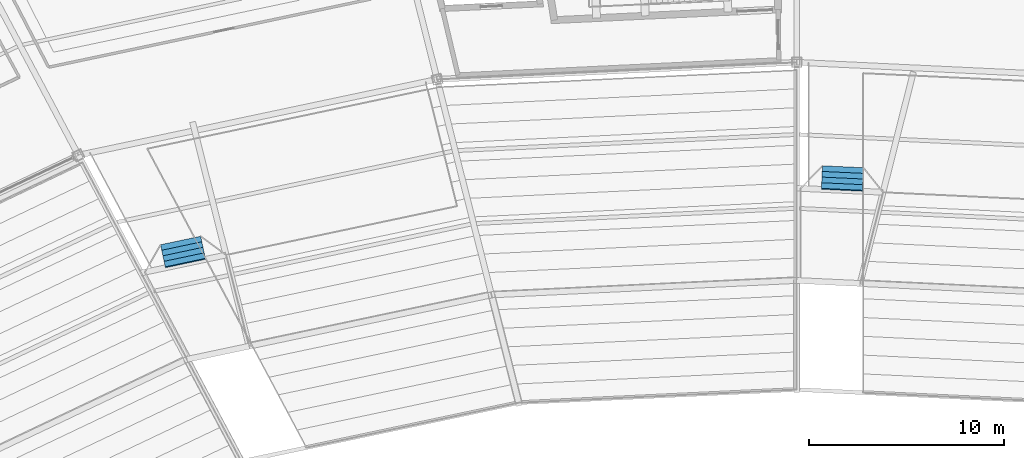
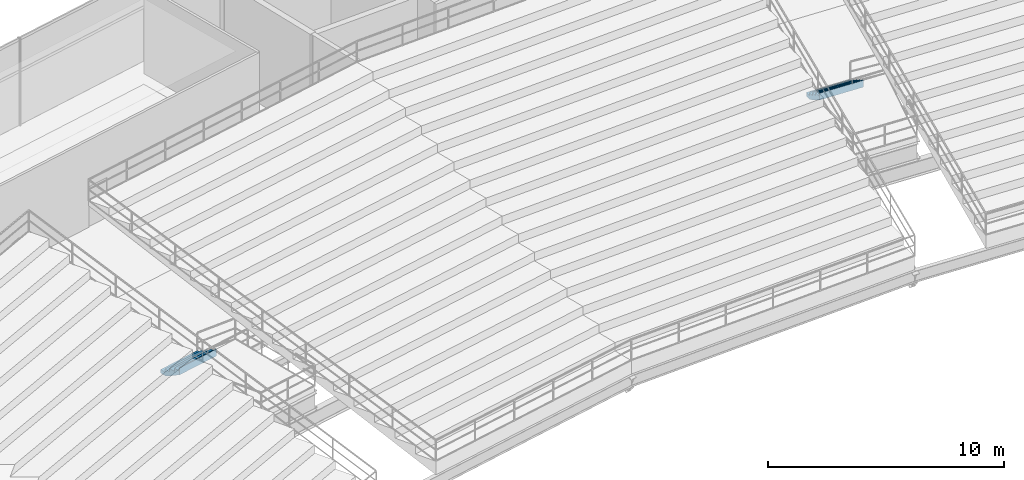
# One storey, part 161 of 186: 2 stair flights, 2 elements without a shape of their own.
"""IFC4 building model written with IfcOpenShell, lengths in metres."""

import ifcopenshell
import ifcopenshell.guid

model = None  # the IFC model being written
_history = None  # IfcOwnerHistory: only IFC2X3 demands one
_inside = {}  # id of a spatial element -> (the spatial element, [elements in it])
_under = {}  # id of a project, library or spatial element -> (it, [spatial elements below it])
_declared = {}  # id of a project -> (the project, [libraries it declares])
_typed = {}  # id of a type object -> (the type object, [elements of that type])
_made_of = {}  # id of a material, layer set ... -> (it, [elements and type objects made of it])


def new_model(schema):
    """Start an empty IFC model of exactly this schema.

    Asked for "IFC4X3", IfcOpenShell would pick the latest addendum, in which some entities
    have other attributes; the version numbers below select the first issue.
    IFC2X3 requires an IfcOwnerHistory on every rooted entity: one is made here for all.
    """
    global model, _history
    if schema == "IFC4X3":
        model = ifcopenshell.file(schema_version=(4, 3, 0, 0))
    else:
        model = ifcopenshell.file(schema=schema)
    _inside.clear()
    _under.clear()
    _declared.clear()
    _typed.clear()
    _made_of.clear()
    _history = None
    if model.schema == "IFC2X3":
        org = make("IfcOrganization", Name="unknown")
        user = make(
            "IfcPersonAndOrganization",
            ThePerson=make("IfcPerson", FamilyName="unknown"),
            TheOrganization=org,
        )
        app = make(
            "IfcApplication",
            ApplicationDeveloper=org,
            Version="unknown",
            ApplicationFullName="unknown",
            ApplicationIdentifier="unknown",
        )
        _history = make(
            "IfcOwnerHistory",
            OwningUser=user,
            OwningApplication=app,
            ChangeAction="ADDED",
            CreationDate=0,
        )
    return model


def make(cls, **values):
    """One entity of the class cls with the attributes given. An attribute that is None is left unset."""
    return model.create_entity(
        cls, **{name: value for name, value in values.items() if value is not None}
    )


def rooted(cls, **values):
    """An entity with a GlobalId (a new one), such as an element, a storey or a relation."""
    return make(cls, GlobalId=ifcopenshell.guid.new(), OwnerHistory=_history, **values)


def si_unit(unit_type, name, prefix=None):
    """IfcSIUnit, for example si_unit("LENGTHUNIT", "METRE", prefix="MILLI")."""
    return make("IfcSIUnit", UnitType=unit_type, Prefix=prefix, Name=name)


def assignment(units):
    """IfcUnitAssignment: the units of a project."""
    return None if units is None else make("IfcUnitAssignment", Units=units)


def point(xyz):
    """IfcCartesianPoint."""
    return None if xyz is None else make("IfcCartesianPoint", Coordinates=xyz)


def direction(xyz):
    """IfcDirection."""
    return None if xyz is None else make("IfcDirection", DirectionRatios=xyz)


def frame(location, z_axis=None, x_axis=None):
    """IfcAxis2Placement3D, a coordinate frame: its origin and axes. An axis left out is left unset."""
    return make(
        "IfcAxis2Placement3D",
        Location=point(location),
        Axis=direction(z_axis),
        RefDirection=direction(x_axis),
    )


def origin():
    """The frame at (0, 0, 0) with its axes left unset."""
    return frame((0.0, 0.0, 0.0))


def place(relative_to, where):
    """IfcLocalPlacement: puts the frame where relative to a parent placement (None: the world)."""
    return make(
        "IfcLocalPlacement", PlacementRelTo=relative_to, RelativePlacement=where
    )


def context(
    kind, dimensions, precision=None, world=None, true_north=None, identifier=None
):
    """IfcGeometricRepresentationContext, for example the 3D "Model" context."""
    return make(
        "IfcGeometricRepresentationContext",
        ContextIdentifier=identifier,
        ContextType=kind,
        CoordinateSpaceDimension=dimensions,
        Precision=precision,
        WorldCoordinateSystem=world,
        TrueNorth=true_north,
    )


def subcontext(parent, identifier, kind, view, scale=None):
    """IfcGeometricRepresentationSubContext, for example "Body" below "Model"."""
    return make(
        "IfcGeometricRepresentationSubContext",
        ContextIdentifier=identifier,
        ContextType=kind,
        ParentContext=parent,
        TargetScale=scale,
        TargetView=view,
    )


def project(units=None, contexts=None):
    """IfcProject with its units and contexts."""
    return rooted(
        "IfcProject",
        Name="project",
        RepresentationContexts=contexts,
        UnitsInContext=assignment(units),
    )


def spatial(cls, under=None, at=None, **own):
    """A site, building, storey or space (cls), placed at a placement, below another one or the project."""
    s = rooted(cls, ObjectPlacement=at, **own)
    if under is not None:
        _under.setdefault(under.id(), (under, []))[1].append(s)
    return s


def point_list(points):
    """IfcCartesianPointList2D or 3D."""
    cls = (
        "IfcCartesianPointList2D" if len(points[0]) == 2 else "IfcCartesianPointList3D"
    )
    return make(cls, CoordList=points)


def polygons(points, faces, closed=None, point_numbers=None):
    """IfcPolygonalFaceSet: a face is its outer loop, then its inner loops; points numbered from 1."""
    made = []
    for loops in faces:
        if len(loops) == 1:
            made.append(make("IfcIndexedPolygonalFace", CoordIndex=loops[0]))
        else:
            made.append(
                make(
                    "IfcIndexedPolygonalFaceWithVoids",
                    CoordIndex=loops[0],
                    InnerCoordIndices=loops[1:],
                )
            )
    return make(
        "IfcPolygonalFaceSet",
        Coordinates=point_list(points),
        Closed=closed,
        Faces=made,
        PnIndex=point_numbers,
    )


def shape(context_of_items, identifier, shape_type, items):
    """IfcShapeRepresentation: the items that make up one representation, for example the "Body"."""
    return make(
        "IfcShapeRepresentation",
        ContextOfItems=context_of_items,
        RepresentationIdentifier=identifier,
        RepresentationType=shape_type,
        Items=items,
    )


def material(Name=None, Category=None):
    """IfcMaterial."""
    return make("IfcMaterial", Name=Name, Category=Category)


def made_of(thing, what):
    """Note that an element or type object is made of a material, layer set ...; save() writes the relation."""
    if what is not None:
        _made_of.setdefault(what.id(), (what, []))[1].append(thing)
    return thing


def type_object(cls, material=None, **own):
    """A type object (cls), such as IfcWallType, which elements share."""
    return made_of(rooted(cls, **own), material)


def element(
    cls,
    number,
    at=None,
    inside=None,
    cuts=None,
    type_object=None,
    material=None,
    context=None,
    identifier="Body",
    shape_type=None,
    held_by="IfcProductDefinitionShape",
    body=None,
    shapes=None,
    **own,
):
    """One element of the class cls, such as IfcWall. Its Tag is "e" and its number.

    at: its placement. inside: the storey or other place that contains it. cuts: it is an
    opening in that element (IfcRelVoidsElement). A single representation is given by context,
    identifier, shape_type and body (its items); several are given by shapes. held_by: the class
    of the entity that holds the representations. save() writes the other relations.
    """
    e = rooted(cls, Tag="e%d" % number, ObjectPlacement=at, **own)
    if body is not None:
        shapes = [shape(context, identifier, shape_type, body)]
    if shapes is not None:
        e.Representation = make(held_by, Representations=shapes)
    if inside is not None:
        _inside.setdefault(inside.id(), (inside, []))[1].append(e)
    if cuts is not None:
        rooted(
            "IfcRelVoidsElement", RelatingBuildingElement=cuts, RelatedOpeningElement=e
        )
    if type_object is not None:
        _typed.setdefault(type_object.id(), (type_object, []))[1].append(e)
    return made_of(e, material)


def aggregate(whole, parts):
    """IfcRelAggregates: a whole, such as a stair, and the parts it consists of."""
    return rooted("IfcRelAggregates", RelatingObject=whole, RelatedObjects=parts)


def save(model, path):
    """Write the relations noted so far, then the file.

    IfcRelAggregates (storeys below a building ...), IfcRelContainedInSpatialStructure (elements
    in a storey), IfcRelDefinesByType, IfcRelAssociatesMaterial and IfcRelDeclares: one each for
    every whole, place, type object, material and project.
    """
    for whole, parts in _under.values():
        aggregate(whole, parts)
    for where, things in _inside.values():
        rooted(
            "IfcRelContainedInSpatialStructure",
            RelatedElements=things,
            RelatingStructure=where,
        )
    for kind, things in _typed.values():
        rooted("IfcRelDefinesByType", RelatedObjects=things, RelatingType=kind)
    for what, things in _made_of.values():
        rooted("IfcRelAssociatesMaterial", RelatedObjects=things, RelatingMaterial=what)
    for by, libraries in _declared.values():
        rooted("IfcRelDeclares", RelatingContext=by, RelatedDefinitions=libraries)
    model.write(path)


model = new_model("IFC4")

# Units and contexts
model_context = context("Model", 3, precision=1e-05, world=origin(), true_north=direction((0.0, 1.0)))
body_context = subcontext(model_context, "Body", "Model", "MODEL_VIEW")
ifc_project = project(units=[si_unit("LENGTHUNIT", "METRE"), si_unit("AREAUNIT", "SQUARE_METRE"), si_unit("VOLUMEUNIT", "CUBIC_METRE"), si_unit("PLANEANGLEUNIT", "RADIAN"), si_unit("MASSUNIT", "GRAM", prefix="KILO")], contexts=[model_context])

# Site, building, storey
site_placement = place(None, origin())
site = spatial("IfcSite", under=ifc_project, at=site_placement, CompositionType="ELEMENT")
building_placement = place(site_placement, origin())
building = spatial("IfcBuilding", under=site, at=building_placement, Name="Kazemori Nagisa Stadium", CompositionType="ELEMENT")
storey_placement = place(building_placement, frame((0.0, 0.0, 20.39990234375)))
storey = spatial("IfcBuildingStorey", under=building, at=storey_placement, Name="L04", CompositionType="ELEMENT", Elevation=20.39990234375)

# Stair, stair flight
ifc_material = material(Name="Concrete C36/45 (Fc36)", Category="concrete")
stair_type = type_object("IfcStairType", Name="Stair_VOM_VU", PredefinedType="STRAIGHT_RUN_STAIR", material=ifc_material)
stair_1_placement = place(storey_placement, origin())
stair_1 = element("IfcStair", 1, at=stair_1_placement, inside=storey, type_object=stair_type, Name="Vomitory stair upper VU03", PredefinedType="STRAIGHT_RUN_STAIR")
stair_flight_type = type_object("IfcStairFlightType", Name="Flight_VOM_VU", PredefinedType="STRAIGHT", material=ifc_material)
stair_flight_1_placement = place(storey_placement, frame((125.369384765625, 170.609375, 0.0), z_axis=(0.0, 0.0, 1.0), x_axis=(-0.047145158645, -0.99888804879, 0.0)))
stair_flight_1 = element("IfcStairFlight", 2, at=stair_flight_1_placement, type_object=stair_flight_type, Name="Vomitory stair upper VU03 flight", NumberOfRisers=5, NumberOfTreads=4, PredefinedType="STRAIGHT", RiserHeight=0.176, TreadLength=0.29, context=body_context, shape_type="Tessellation", body=[
    polygons([(0.0, -1.050048828125, 0.0), (0.0, -1.050048828125, 0.176025390625), (0.2900390625, -1.050048828125, 0.176025390625), (0.2900390625, -1.050048828125, 0.35205078125), (0.580078125, -1.050048828125, 0.35205078125), (0.580078125, -1.050048828125, 0.528076171875), (0.8701171875, -1.050048828125, 0.528076171875), (0.8701171875, -1.050048828125, 0.7041015625), (1.159912109375, -1.050048828125, 0.7041015625), (1.159912109375, -1.050048828125, 0.8798828125), (1.2099609375, -1.050048828125, 0.8798828125), (1.2099609375, -1.050048828125, 0.52392578125), (1.159912109375, -1.050048828125, 0.493408203125), (0.8701171875, -1.050048828125, 0.317626953125), (0.580078125, -1.050048828125, 0.1416015625), (0.2900390625, -1.050048828125, 0.0), (0.0, -0.083984375, 0.0), (0.0, -0.083984375, 0.176025390625), (0.2900390625, -0.083984375, 0.176025390625), (0.2900390625, -0.083984375, 0.35205078125), (0.580078125, -0.083984375, 0.35205078125), (0.580078125, -0.083984375, 0.528076171875), (0.8701171875, -0.083984375, 0.528076171875), (0.8701171875, -0.083984375, 0.7041015625), (1.159912109375, -0.083984375, 0.7041015625), (1.159912109375, -0.083984375, 0.8798828125), (1.2099609375, -0.083984375, 0.8798828125), (1.2099609375, -0.083984375, 0.52392578125), (1.159912109375, -0.083984375, 0.493408203125), (0.8701171875, -0.083984375, 0.317626953125), (0.580078125, -0.083984375, 0.1416015625), (0.2900390625, -0.083984375, 0.0), (0.0, -0.06298828125, 0.0), (0.0, -0.06298828125, 0.176025390625), (0.2900390625, -0.06298828125, 0.176025390625), (0.2900390625, -0.06298828125, 0.35205078125), (0.580078125, -0.06298828125, 0.35205078125), (0.580078125, -0.06298828125, 0.528076171875), (0.8701171875, -0.06298828125, 0.528076171875), (0.8701171875, -0.06298828125, 0.7041015625), (1.159912109375, -0.06298828125, 0.7041015625), (1.159912109375, -0.06298828125, 0.8798828125), (1.2099609375, -0.06298828125, 0.8798828125), (1.2099609375, -0.06298828125, 0.52392578125), (1.159912109375, -0.06298828125, 0.493408203125), (0.8701171875, -0.06298828125, 0.317626953125), (0.580078125, -0.06298828125, 0.1416015625), (0.2900390625, -0.06298828125, 0.0), (0.0, -0.0419921875, 0.0), (0.0, -0.0419921875, 0.176025390625), (0.2900390625, -0.0419921875, 0.176025390625), (0.2900390625, -0.0419921875, 0.35205078125), (0.580078125, -0.0419921875, 0.35205078125), (0.580078125, -0.0419921875, 0.528076171875), (0.8701171875, -0.0419921875, 0.528076171875), (0.8701171875, -0.0419921875, 0.7041015625), (1.159912109375, -0.0419921875, 0.7041015625), (1.159912109375, -0.0419921875, 0.8798828125), (1.2099609375, -0.0419921875, 0.8798828125), (1.2099609375, -0.0419921875, 0.52392578125), (1.159912109375, -0.0419921875, 0.493408203125), (0.8701171875, -0.0419921875, 0.317626953125), (0.580078125, -0.0419921875, 0.1416015625), (0.2900390625, -0.0419921875, 0.0), (0.0, -0.02099609375, 0.0), (0.0, -0.02099609375, 0.176025390625), (0.2900390625, -0.02099609375, 0.176025390625), (0.2900390625, -0.02099609375, 0.35205078125), (0.580078125, -0.02099609375, 0.35205078125), (0.580078125, -0.02099609375, 0.528076171875), (0.8701171875, -0.02099609375, 0.528076171875), (0.8701171875, -0.02099609375, 0.7041015625), (1.159912109375, -0.02099609375, 0.7041015625), (1.159912109375, -0.02099609375, 0.8798828125), (1.2099609375, -0.02099609375, 0.8798828125), (1.2099609375, -0.02099609375, 0.52392578125), (1.159912109375, -0.02099609375, 0.493408203125), (0.8701171875, -0.02099609375, 0.317626953125), (0.580078125, -0.02099609375, 0.1416015625), (0.2900390625, -0.02099609375, 0.0), (0.0, 0.0, 0.0), (0.0, 0.0, 0.176025390625), (0.2900390625, 0.0, 0.176025390625), (0.2900390625, 0.0, 0.35205078125), (0.580078125, 0.0, 0.35205078125), (0.580078125, 0.0, 0.528076171875), (0.8701171875, 0.0, 0.528076171875), (0.8701171875, 0.0, 0.7041015625), (1.159912109375, 0.0, 0.7041015625), (1.159912109375, 0.0, 0.8798828125), (1.2099609375, 0.0, 0.8798828125), (1.2099609375, 0.0, 0.52392578125), (1.159912109375, 0.0, 0.493408203125), (0.8701171875, 0.0, 0.317626953125), (0.580078125, 0.0, 0.1416015625), (0.2900390625, 0.0, 0.0), (0.0, 0.02099609375, 0.0), (0.0, 0.02099609375, 0.176025390625), (0.2900390625, 0.02099609375, 0.176025390625), (0.2900390625, 0.02099609375, 0.35205078125), (0.580078125, 0.02099609375, 0.35205078125), (0.580078125, 0.02099609375, 0.528076171875), (0.8701171875, 0.02099609375, 0.528076171875), (0.8701171875, 0.02099609375, 0.7041015625), (1.159912109375, 0.02099609375, 0.7041015625), (1.159912109375, 0.02099609375, 0.8798828125), (1.2099609375, 0.02099609375, 0.8798828125), (1.2099609375, 0.02099609375, 0.52392578125), (1.159912109375, 0.02099609375, 0.493408203125), (0.8701171875, 0.02099609375, 0.317626953125), (0.580078125, 0.02099609375, 0.1416015625), (0.2900390625, 0.02099609375, 0.0), (0.0, 0.0419921875, 0.0), (0.0, 0.0419921875, 0.176025390625), (0.2900390625, 0.0419921875, 0.176025390625), (0.2900390625, 0.0419921875, 0.35205078125), (0.580078125, 0.0419921875, 0.35205078125), (0.580078125, 0.0419921875, 0.528076171875), (0.8701171875, 0.0419921875, 0.528076171875), (0.8701171875, 0.0419921875, 0.7041015625), (1.159912109375, 0.0419921875, 0.7041015625), (1.159912109375, 0.0419921875, 0.8798828125), (1.2099609375, 0.0419921875, 0.8798828125), (1.2099609375, 0.0419921875, 0.52392578125), (1.159912109375, 0.0419921875, 0.493408203125), (0.8701171875, 0.0419921875, 0.317626953125), (0.580078125, 0.0419921875, 0.1416015625), (0.2900390625, 0.0419921875, 0.0), (0.0, 0.06298828125, 0.0), (0.0, 0.06298828125, 0.176025390625), (0.2900390625, 0.06298828125, 0.176025390625), (0.2900390625, 0.06298828125, 0.35205078125), (0.580078125, 0.06298828125, 0.35205078125), (0.580078125, 0.06298828125, 0.528076171875), (0.8701171875, 0.06298828125, 0.528076171875), (0.8701171875, 0.06298828125, 0.7041015625), (1.159912109375, 0.06298828125, 0.7041015625), (1.159912109375, 0.06298828125, 0.8798828125), (1.2099609375, 0.06298828125, 0.8798828125), (1.2099609375, 0.06298828125, 0.52392578125), (1.159912109375, 0.06298828125, 0.493408203125), (0.8701171875, 0.06298828125, 0.317626953125), (0.580078125, 0.06298828125, 0.1416015625), (0.2900390625, 0.06298828125, 0.0), (0.0, 0.083984375, 0.0), (0.0, 0.083984375, 0.176025390625), (0.2900390625, 0.083984375, 0.176025390625), (0.2900390625, 0.083984375, 0.35205078125), (0.580078125, 0.083984375, 0.35205078125), (0.580078125, 0.083984375, 0.528076171875), (0.8701171875, 0.083984375, 0.528076171875), (0.8701171875, 0.083984375, 0.7041015625), (1.159912109375, 0.083984375, 0.7041015625), (1.159912109375, 0.083984375, 0.8798828125), (1.2099609375, 0.083984375, 0.8798828125), (1.2099609375, 0.083984375, 0.52392578125), (1.159912109375, 0.083984375, 0.493408203125), (0.8701171875, 0.083984375, 0.317626953125), (0.580078125, 0.083984375, 0.1416015625), (0.2900390625, 0.083984375, 0.0), (0.0, 1.050048828125, 0.0), (0.0, 1.050048828125, 0.176025390625), (0.2900390625, 1.050048828125, 0.176025390625), (0.2900390625, 1.050048828125, 0.35205078125), (0.580078125, 1.050048828125, 0.35205078125), (0.580078125, 1.050048828125, 0.528076171875), (0.8701171875, 1.050048828125, 0.528076171875), (0.8701171875, 1.050048828125, 0.7041015625), (1.159912109375, 1.050048828125, 0.7041015625), (1.159912109375, 1.050048828125, 0.8798828125), (1.2099609375, 1.050048828125, 0.8798828125), (1.2099609375, 1.050048828125, 0.52392578125), (1.159912109375, 1.050048828125, 0.493408203125), (0.8701171875, 1.050048828125, 0.317626953125), (0.580078125, 1.050048828125, 0.1416015625), (0.2900390625, 1.050048828125, 0.0)], [[[1, 2, 18]], [[1, 18, 17]], [[2, 3, 19]], [[2, 19, 18]], [[3, 4, 20]], [[3, 20, 19]], [[4, 5, 21]], [[4, 21, 20]], [[5, 6, 22]], [[5, 22, 21]], [[6, 7, 23]], [[6, 23, 22]], [[7, 8, 24]], [[7, 24, 23]], [[8, 9, 25]], [[8, 25, 24]], [[9, 10, 26]], [[9, 26, 25]], [[10, 11, 27]], [[10, 27, 26]], [[11, 12, 28]], [[11, 28, 27]], [[12, 13, 29]], [[12, 29, 28]], [[13, 14, 30]], [[13, 30, 29]], [[14, 15, 31]], [[14, 31, 30]], [[15, 16, 32]], [[15, 32, 31]], [[16, 1, 17]], [[16, 17, 32]], [[17, 18, 34]], [[17, 34, 33]], [[18, 19, 35]], [[18, 35, 34]], [[19, 20, 36]], [[19, 36, 35]], [[20, 21, 37]], [[20, 37, 36]], [[21, 22, 38]], [[21, 38, 37]], [[22, 23, 39]], [[22, 39, 38]], [[23, 24, 40]], [[23, 40, 39]], [[24, 25, 41]], [[24, 41, 40]], [[25, 26, 42]], [[25, 42, 41]], [[26, 27, 43]], [[26, 43, 42]], [[27, 28, 44]], [[27, 44, 43]], [[28, 29, 45]], [[28, 45, 44]], [[29, 30, 46]], [[29, 46, 45]], [[30, 31, 47]], [[30, 47, 46]], [[31, 32, 48]], [[31, 48, 47]], [[32, 17, 33]], [[32, 33, 48]], [[33, 34, 50]], [[33, 50, 49]], [[34, 35, 51]], [[34, 51, 50]], [[35, 36, 52]], [[35, 52, 51]], [[36, 37, 53]], [[36, 53, 52]], [[37, 38, 54]], [[37, 54, 53]], [[38, 39, 55]], [[38, 55, 54]], [[39, 40, 56]], [[39, 56, 55]], [[40, 41, 57]], [[40, 57, 56]], [[41, 42, 58]], [[41, 58, 57]], [[42, 43, 59]], [[42, 59, 58]], [[43, 44, 60]], [[43, 60, 59]], [[44, 45, 61]], [[44, 61, 60]], [[45, 46, 62]], [[45, 62, 61]], [[46, 47, 63]], [[46, 63, 62]], [[47, 48, 64]], [[47, 64, 63]], [[48, 33, 49]], [[48, 49, 64]], [[49, 50, 66]], [[49, 66, 65]], [[50, 51, 67]], [[50, 67, 66]], [[51, 52, 68]], [[51, 68, 67]], [[52, 53, 69]], [[52, 69, 68]], [[53, 54, 70]], [[53, 70, 69]], [[54, 55, 71]], [[54, 71, 70]], [[55, 56, 72]], [[55, 72, 71]], [[56, 57, 73]], [[56, 73, 72]], [[57, 58, 74]], [[57, 74, 73]], [[58, 59, 75]], [[58, 75, 74]], [[59, 60, 76]], [[59, 76, 75]], [[60, 61, 77]], [[60, 77, 76]], [[61, 62, 78]], [[61, 78, 77]], [[62, 63, 79]], [[62, 79, 78]], [[63, 64, 80]], [[63, 80, 79]], [[64, 49, 65]], [[64, 65, 80]], [[65, 66, 82]], [[65, 82, 81]], [[66, 67, 83]], [[66, 83, 82]], [[67, 68, 84]], [[67, 84, 83]], [[68, 69, 85]], [[68, 85, 84]], [[69, 70, 86]], [[69, 86, 85]], [[70, 71, 87]], [[70, 87, 86]], [[71, 72, 88]], [[71, 88, 87]], [[72, 73, 89]], [[72, 89, 88]], [[73, 74, 90]], [[73, 90, 89]], [[74, 75, 91]], [[74, 91, 90]], [[75, 76, 92]], [[75, 92, 91]], [[76, 77, 93]], [[76, 93, 92]], [[77, 78, 94]], [[77, 94, 93]], [[78, 79, 95]], [[78, 95, 94]], [[79, 80, 96]], [[79, 96, 95]], [[80, 65, 81]], [[80, 81, 96]], [[81, 82, 98]], [[81, 98, 97]], [[82, 83, 99]], [[82, 99, 98]], [[83, 84, 100]], [[83, 100, 99]], [[84, 85, 101]], [[84, 101, 100]], [[85, 86, 102]], [[85, 102, 101]], [[86, 87, 103]], [[86, 103, 102]], [[87, 88, 104]], [[87, 104, 103]], [[88, 89, 105]], [[88, 105, 104]], [[89, 90, 106]], [[89, 106, 105]], [[90, 91, 107]], [[90, 107, 106]], [[91, 92, 108]], [[91, 108, 107]], [[92, 93, 109]], [[92, 109, 108]], [[93, 94, 110]], [[93, 110, 109]], [[94, 95, 111]], [[94, 111, 110]], [[95, 96, 112]], [[95, 112, 111]], [[96, 81, 97]], [[96, 97, 112]], [[97, 98, 114]], [[97, 114, 113]], [[98, 99, 115]], [[98, 115, 114]], [[99, 100, 116]], [[99, 116, 115]], [[100, 101, 117]], [[100, 117, 116]], [[101, 102, 118]], [[101, 118, 117]], [[102, 103, 119]], [[102, 119, 118]], [[103, 104, 120]], [[103, 120, 119]], [[104, 105, 121]], [[104, 121, 120]], [[105, 106, 122]], [[105, 122, 121]], [[106, 107, 123]], [[106, 123, 122]], [[107, 108, 124]], [[107, 124, 123]], [[108, 109, 125]], [[108, 125, 124]], [[109, 110, 126]], [[109, 126, 125]], [[110, 111, 127]], [[110, 127, 126]], [[111, 112, 128]], [[111, 128, 127]], [[112, 97, 113]], [[112, 113, 128]], [[113, 114, 130]], [[113, 130, 129]], [[114, 115, 131]], [[114, 131, 130]], [[115, 116, 132]], [[115, 132, 131]], [[116, 117, 133]], [[116, 133, 132]], [[117, 118, 134]], [[117, 134, 133]], [[118, 119, 135]], [[118, 135, 134]], [[119, 120, 136]], [[119, 136, 135]], [[120, 121, 137]], [[120, 137, 136]], [[121, 122, 138]], [[121, 138, 137]], [[122, 123, 139]], [[122, 139, 138]], [[123, 124, 140]], [[123, 140, 139]], [[124, 125, 141]], [[124, 141, 140]], [[125, 126, 142]], [[125, 142, 141]], [[126, 127, 143]], [[126, 143, 142]], [[127, 128, 144]], [[127, 144, 143]], [[128, 113, 129]], [[128, 129, 144]], [[129, 130, 146]], [[129, 146, 145]], [[130, 131, 147]], [[130, 147, 146]], [[131, 132, 148]], [[131, 148, 147]], [[132, 133, 149]], [[132, 149, 148]], [[133, 134, 150]], [[133, 150, 149]], [[134, 135, 151]], [[134, 151, 150]], [[135, 136, 152]], [[135, 152, 151]], [[136, 137, 153]], [[136, 153, 152]], [[137, 138, 154]], [[137, 154, 153]], [[138, 139, 155]], [[138, 155, 154]], [[139, 140, 156]], [[139, 156, 155]], [[140, 141, 157]], [[140, 157, 156]], [[141, 142, 158]], [[141, 158, 157]], [[142, 143, 159]], [[142, 159, 158]], [[143, 144, 160]], [[143, 160, 159]], [[144, 129, 145]], [[144, 145, 160]], [[145, 146, 162]], [[145, 162, 161]], [[146, 147, 163]], [[146, 163, 162]], [[147, 148, 164]], [[147, 164, 163]], [[148, 149, 165]], [[148, 165, 164]], [[149, 150, 166]], [[149, 166, 165]], [[150, 151, 167]], [[150, 167, 166]], [[151, 152, 168]], [[151, 168, 167]], [[152, 153, 169]], [[152, 169, 168]], [[153, 154, 170]], [[153, 170, 169]], [[154, 155, 171]], [[154, 171, 170]], [[155, 156, 172]], [[155, 172, 171]], [[156, 157, 173]], [[156, 173, 172]], [[157, 158, 174]], [[157, 174, 173]], [[158, 159, 175]], [[158, 175, 174]], [[159, 160, 176]], [[159, 176, 175]], [[160, 145, 161]], [[160, 161, 176]], [[3, 2, 1]], [[161, 162, 163]], [[16, 3, 1]], [[161, 163, 176]], [[15, 3, 16]], [[176, 163, 175]], [[5, 3, 15]], [[175, 163, 165]], [[5, 4, 3]], [[163, 164, 165]], [[14, 5, 15]], [[175, 165, 174]], [[7, 5, 14]], [[174, 165, 167]], [[7, 6, 5]], [[165, 166, 167]], [[13, 7, 14]], [[174, 167, 173]], [[9, 7, 13]], [[173, 167, 169]], [[9, 8, 7]], [[167, 168, 169]], [[12, 9, 13]], [[173, 169, 172]], [[11, 9, 12]], [[172, 169, 171]], [[11, 10, 9]], [[169, 170, 171]]], closed=True),
])
aggregate(stair_1, [stair_flight_1])

stair_2_placement = place(storey_placement, origin())
stair_2 = element("IfcStair", 3, at=stair_2_placement, inside=storey, type_object=stair_type, Name="Vomitory stair upper VU04", PredefinedType="STRAIGHT_RUN_STAIR")
stair_flight_2_placement = place(storey_placement, frame((91.42333984375, 166.82958984375, 0.0), z_axis=(0.0, 0.0, 1.0), x_axis=(0.207113562262, -0.978316907922, 0.0)))
stair_flight_2 = element("IfcStairFlight", 4, at=stair_flight_2_placement, type_object=stair_flight_type, Name="Vomitory stair upper VU04 flight", NumberOfRisers=5, NumberOfTreads=4, PredefinedType="STRAIGHT", RiserHeight=0.176, TreadLength=0.29, context=body_context, shape_type="Tessellation", body=[
    polygons([(0.0, -1.050048828125, 0.0), (0.0, -1.050048828125, 0.176025390625), (0.2900390625, -1.050048828125, 0.176025390625), (0.2900390625, -1.050048828125, 0.35205078125), (0.580078125, -1.050048828125, 0.35205078125), (0.580078125, -1.050048828125, 0.528076171875), (0.8701171875, -1.050048828125, 0.528076171875), (0.8701171875, -1.050048828125, 0.7041015625), (1.159912109375, -1.050048828125, 0.7041015625), (1.159912109375, -1.050048828125, 0.8798828125), (1.2099609375, -1.050048828125, 0.8798828125), (1.2099609375, -1.050048828125, 0.52392578125), (1.159912109375, -1.050048828125, 0.493408203125), (0.8701171875, -1.050048828125, 0.317626953125), (0.580078125, -1.050048828125, 0.1416015625), (0.2900390625, -1.050048828125, 0.0), (0.0, -0.083984375, 0.0), (0.0, -0.083984375, 0.176025390625), (0.2900390625, -0.083984375, 0.176025390625), (0.2900390625, -0.083984375, 0.35205078125), (0.580078125, -0.083984375, 0.35205078125), (0.580078125, -0.083984375, 0.528076171875), (0.8701171875, -0.083984375, 0.528076171875), (0.8701171875, -0.083984375, 0.7041015625), (1.159912109375, -0.083984375, 0.7041015625), (1.159912109375, -0.083984375, 0.8798828125), (1.2099609375, -0.083984375, 0.8798828125), (1.2099609375, -0.083984375, 0.52392578125), (1.159912109375, -0.083984375, 0.493408203125), (0.8701171875, -0.083984375, 0.317626953125), (0.580078125, -0.083984375, 0.1416015625), (0.2900390625, -0.083984375, 0.0), (0.0, -0.06298828125, 0.0), (0.0, -0.06298828125, 0.176025390625), (0.2900390625, -0.06298828125, 0.176025390625), (0.2900390625, -0.06298828125, 0.35205078125), (0.580078125, -0.06298828125, 0.35205078125), (0.580078125, -0.06298828125, 0.528076171875), (0.8701171875, -0.06298828125, 0.528076171875), (0.8701171875, -0.06298828125, 0.7041015625), (1.159912109375, -0.06298828125, 0.7041015625), (1.159912109375, -0.06298828125, 0.8798828125), (1.2099609375, -0.06298828125, 0.8798828125), (1.2099609375, -0.06298828125, 0.52392578125), (1.159912109375, -0.06298828125, 0.493408203125), (0.8701171875, -0.06298828125, 0.317626953125), (0.580078125, -0.06298828125, 0.1416015625), (0.2900390625, -0.06298828125, 0.0), (0.0, -0.0419921875, 0.0), (0.0, -0.0419921875, 0.176025390625), (0.2900390625, -0.0419921875, 0.176025390625), (0.2900390625, -0.0419921875, 0.35205078125), (0.580078125, -0.0419921875, 0.35205078125), (0.580078125, -0.0419921875, 0.528076171875), (0.8701171875, -0.0419921875, 0.528076171875), (0.8701171875, -0.0419921875, 0.7041015625), (1.159912109375, -0.0419921875, 0.7041015625), (1.159912109375, -0.0419921875, 0.8798828125), (1.2099609375, -0.0419921875, 0.8798828125), (1.2099609375, -0.0419921875, 0.52392578125), (1.159912109375, -0.0419921875, 0.493408203125), (0.8701171875, -0.0419921875, 0.317626953125), (0.580078125, -0.0419921875, 0.1416015625), (0.2900390625, -0.0419921875, 0.0), (0.0, -0.02099609375, 0.0), (0.0, -0.02099609375, 0.176025390625), (0.2900390625, -0.02099609375, 0.176025390625), (0.2900390625, -0.02099609375, 0.35205078125), (0.580078125, -0.02099609375, 0.35205078125), (0.580078125, -0.02099609375, 0.528076171875), (0.8701171875, -0.02099609375, 0.528076171875), (0.8701171875, -0.02099609375, 0.7041015625), (1.159912109375, -0.02099609375, 0.7041015625), (1.159912109375, -0.02099609375, 0.8798828125), (1.2099609375, -0.02099609375, 0.8798828125), (1.2099609375, -0.02099609375, 0.52392578125), (1.159912109375, -0.02099609375, 0.493408203125), (0.8701171875, -0.02099609375, 0.317626953125), (0.580078125, -0.02099609375, 0.1416015625), (0.2900390625, -0.02099609375, 0.0), (0.0, 0.0, 0.0), (0.0, 0.0, 0.176025390625), (0.2900390625, 0.0, 0.176025390625), (0.2900390625, 0.0, 0.35205078125), (0.580078125, 0.0, 0.35205078125), (0.580078125, 0.0, 0.528076171875), (0.8701171875, 0.0, 0.528076171875), (0.8701171875, 0.0, 0.7041015625), (1.159912109375, 0.0, 0.7041015625), (1.159912109375, 0.0, 0.8798828125), (1.2099609375, 0.0, 0.8798828125), (1.2099609375, 0.0, 0.52392578125), (1.159912109375, 0.0, 0.493408203125), (0.8701171875, 0.0, 0.317626953125), (0.580078125, 0.0, 0.1416015625), (0.2900390625, 0.0, 0.0), (0.0, 0.02099609375, 0.0), (0.0, 0.02099609375, 0.176025390625), (0.2900390625, 0.02099609375, 0.176025390625), (0.2900390625, 0.02099609375, 0.35205078125), (0.580078125, 0.02099609375, 0.35205078125), (0.580078125, 0.02099609375, 0.528076171875), (0.8701171875, 0.02099609375, 0.528076171875), (0.8701171875, 0.02099609375, 0.7041015625), (1.159912109375, 0.02099609375, 0.7041015625), (1.159912109375, 0.02099609375, 0.8798828125), (1.2099609375, 0.02099609375, 0.8798828125), (1.2099609375, 0.02099609375, 0.52392578125), (1.159912109375, 0.02099609375, 0.493408203125), (0.8701171875, 0.02099609375, 0.317626953125), (0.580078125, 0.02099609375, 0.1416015625), (0.2900390625, 0.02099609375, 0.0), (0.0, 0.0419921875, 0.0), (0.0, 0.0419921875, 0.176025390625), (0.2900390625, 0.0419921875, 0.176025390625), (0.2900390625, 0.0419921875, 0.35205078125), (0.580078125, 0.0419921875, 0.35205078125), (0.580078125, 0.0419921875, 0.528076171875), (0.8701171875, 0.0419921875, 0.528076171875), (0.8701171875, 0.0419921875, 0.7041015625), (1.159912109375, 0.0419921875, 0.7041015625), (1.159912109375, 0.0419921875, 0.8798828125), (1.2099609375, 0.0419921875, 0.8798828125), (1.2099609375, 0.0419921875, 0.52392578125), (1.159912109375, 0.0419921875, 0.493408203125), (0.8701171875, 0.0419921875, 0.317626953125), (0.580078125, 0.0419921875, 0.1416015625), (0.2900390625, 0.0419921875, 0.0), (0.0, 0.06298828125, 0.0), (0.0, 0.06298828125, 0.176025390625), (0.2900390625, 0.06298828125, 0.176025390625), (0.2900390625, 0.06298828125, 0.35205078125), (0.580078125, 0.06298828125, 0.35205078125), (0.580078125, 0.06298828125, 0.528076171875), (0.8701171875, 0.06298828125, 0.528076171875), (0.8701171875, 0.06298828125, 0.7041015625), (1.159912109375, 0.06298828125, 0.7041015625), (1.159912109375, 0.06298828125, 0.8798828125), (1.2099609375, 0.06298828125, 0.8798828125), (1.2099609375, 0.06298828125, 0.52392578125), (1.159912109375, 0.06298828125, 0.493408203125), (0.8701171875, 0.06298828125, 0.317626953125), (0.580078125, 0.06298828125, 0.1416015625), (0.2900390625, 0.06298828125, 0.0), (0.0, 0.083984375, 0.0), (0.0, 0.083984375, 0.176025390625), (0.2900390625, 0.083984375, 0.176025390625), (0.2900390625, 0.083984375, 0.35205078125), (0.580078125, 0.083984375, 0.35205078125), (0.580078125, 0.083984375, 0.528076171875), (0.8701171875, 0.083984375, 0.528076171875), (0.8701171875, 0.083984375, 0.7041015625), (1.159912109375, 0.083984375, 0.7041015625), (1.159912109375, 0.083984375, 0.8798828125), (1.2099609375, 0.083984375, 0.8798828125), (1.2099609375, 0.083984375, 0.52392578125), (1.159912109375, 0.083984375, 0.493408203125), (0.8701171875, 0.083984375, 0.317626953125), (0.580078125, 0.083984375, 0.1416015625), (0.2900390625, 0.083984375, 0.0), (0.0, 1.050048828125, 0.0), (0.0, 1.050048828125, 0.176025390625), (0.2900390625, 1.050048828125, 0.176025390625), (0.2900390625, 1.050048828125, 0.35205078125), (0.580078125, 1.050048828125, 0.35205078125), (0.580078125, 1.050048828125, 0.528076171875), (0.8701171875, 1.050048828125, 0.528076171875), (0.8701171875, 1.050048828125, 0.7041015625), (1.159912109375, 1.050048828125, 0.7041015625), (1.159912109375, 1.050048828125, 0.8798828125), (1.2099609375, 1.050048828125, 0.8798828125), (1.2099609375, 1.050048828125, 0.52392578125), (1.159912109375, 1.050048828125, 0.493408203125), (0.8701171875, 1.050048828125, 0.317626953125), (0.580078125, 1.050048828125, 0.1416015625), (0.2900390625, 1.050048828125, 0.0)], [[[1, 2, 18]], [[1, 18, 17]], [[2, 3, 19]], [[2, 19, 18]], [[3, 4, 20]], [[3, 20, 19]], [[4, 5, 21]], [[4, 21, 20]], [[5, 6, 22]], [[5, 22, 21]], [[6, 7, 23]], [[6, 23, 22]], [[7, 8, 24]], [[7, 24, 23]], [[8, 9, 25]], [[8, 25, 24]], [[9, 10, 26]], [[9, 26, 25]], [[10, 11, 27]], [[10, 27, 26]], [[11, 12, 28]], [[11, 28, 27]], [[12, 13, 29]], [[12, 29, 28]], [[13, 14, 30]], [[13, 30, 29]], [[14, 15, 31]], [[14, 31, 30]], [[15, 16, 32]], [[15, 32, 31]], [[16, 1, 17]], [[16, 17, 32]], [[17, 18, 34]], [[17, 34, 33]], [[18, 19, 35]], [[18, 35, 34]], [[19, 20, 36]], [[19, 36, 35]], [[20, 21, 37]], [[20, 37, 36]], [[21, 22, 38]], [[21, 38, 37]], [[22, 23, 39]], [[22, 39, 38]], [[23, 24, 40]], [[23, 40, 39]], [[24, 25, 41]], [[24, 41, 40]], [[25, 26, 42]], [[25, 42, 41]], [[26, 27, 43]], [[26, 43, 42]], [[27, 28, 44]], [[27, 44, 43]], [[28, 29, 45]], [[28, 45, 44]], [[29, 30, 46]], [[29, 46, 45]], [[30, 31, 47]], [[30, 47, 46]], [[31, 32, 48]], [[31, 48, 47]], [[32, 17, 33]], [[32, 33, 48]], [[33, 34, 50]], [[33, 50, 49]], [[34, 35, 51]], [[34, 51, 50]], [[35, 36, 52]], [[35, 52, 51]], [[36, 37, 53]], [[36, 53, 52]], [[37, 38, 54]], [[37, 54, 53]], [[38, 39, 55]], [[38, 55, 54]], [[39, 40, 56]], [[39, 56, 55]], [[40, 41, 57]], [[40, 57, 56]], [[41, 42, 58]], [[41, 58, 57]], [[42, 43, 59]], [[42, 59, 58]], [[43, 44, 60]], [[43, 60, 59]], [[44, 45, 61]], [[44, 61, 60]], [[45, 46, 62]], [[45, 62, 61]], [[46, 47, 63]], [[46, 63, 62]], [[47, 48, 64]], [[47, 64, 63]], [[48, 33, 49]], [[48, 49, 64]], [[49, 50, 66]], [[49, 66, 65]], [[50, 51, 67]], [[50, 67, 66]], [[51, 52, 68]], [[51, 68, 67]], [[52, 53, 69]], [[52, 69, 68]], [[53, 54, 70]], [[53, 70, 69]], [[54, 55, 71]], [[54, 71, 70]], [[55, 56, 72]], [[55, 72, 71]], [[56, 57, 73]], [[56, 73, 72]], [[57, 58, 74]], [[57, 74, 73]], [[58, 59, 75]], [[58, 75, 74]], [[59, 60, 76]], [[59, 76, 75]], [[60, 61, 77]], [[60, 77, 76]], [[61, 62, 78]], [[61, 78, 77]], [[62, 63, 79]], [[62, 79, 78]], [[63, 64, 80]], [[63, 80, 79]], [[64, 49, 65]], [[64, 65, 80]], [[65, 66, 82]], [[65, 82, 81]], [[66, 67, 83]], [[66, 83, 82]], [[67, 68, 84]], [[67, 84, 83]], [[68, 69, 85]], [[68, 85, 84]], [[69, 70, 86]], [[69, 86, 85]], [[70, 71, 87]], [[70, 87, 86]], [[71, 72, 88]], [[71, 88, 87]], [[72, 73, 89]], [[72, 89, 88]], [[73, 74, 90]], [[73, 90, 89]], [[74, 75, 91]], [[74, 91, 90]], [[75, 76, 92]], [[75, 92, 91]], [[76, 77, 93]], [[76, 93, 92]], [[77, 78, 94]], [[77, 94, 93]], [[78, 79, 95]], [[78, 95, 94]], [[79, 80, 96]], [[79, 96, 95]], [[80, 65, 81]], [[80, 81, 96]], [[81, 82, 98]], [[81, 98, 97]], [[82, 83, 99]], [[82, 99, 98]], [[83, 84, 100]], [[83, 100, 99]], [[84, 85, 101]], [[84, 101, 100]], [[85, 86, 102]], [[85, 102, 101]], [[86, 87, 103]], [[86, 103, 102]], [[87, 88, 104]], [[87, 104, 103]], [[88, 89, 105]], [[88, 105, 104]], [[89, 90, 106]], [[89, 106, 105]], [[90, 91, 107]], [[90, 107, 106]], [[91, 92, 108]], [[91, 108, 107]], [[92, 93, 109]], [[92, 109, 108]], [[93, 94, 110]], [[93, 110, 109]], [[94, 95, 111]], [[94, 111, 110]], [[95, 96, 112]], [[95, 112, 111]], [[96, 81, 97]], [[96, 97, 112]], [[97, 98, 114]], [[97, 114, 113]], [[98, 99, 115]], [[98, 115, 114]], [[99, 100, 116]], [[99, 116, 115]], [[100, 101, 117]], [[100, 117, 116]], [[101, 102, 118]], [[101, 118, 117]], [[102, 103, 119]], [[102, 119, 118]], [[103, 104, 120]], [[103, 120, 119]], [[104, 105, 121]], [[104, 121, 120]], [[105, 106, 122]], [[105, 122, 121]], [[106, 107, 123]], [[106, 123, 122]], [[107, 108, 124]], [[107, 124, 123]], [[108, 109, 125]], [[108, 125, 124]], [[109, 110, 126]], [[109, 126, 125]], [[110, 111, 127]], [[110, 127, 126]], [[111, 112, 128]], [[111, 128, 127]], [[112, 97, 113]], [[112, 113, 128]], [[113, 114, 130]], [[113, 130, 129]], [[114, 115, 131]], [[114, 131, 130]], [[115, 116, 132]], [[115, 132, 131]], [[116, 117, 133]], [[116, 133, 132]], [[117, 118, 134]], [[117, 134, 133]], [[118, 119, 135]], [[118, 135, 134]], [[119, 120, 136]], [[119, 136, 135]], [[120, 121, 137]], [[120, 137, 136]], [[121, 122, 138]], [[121, 138, 137]], [[122, 123, 139]], [[122, 139, 138]], [[123, 124, 140]], [[123, 140, 139]], [[124, 125, 141]], [[124, 141, 140]], [[125, 126, 142]], [[125, 142, 141]], [[126, 127, 143]], [[126, 143, 142]], [[127, 128, 144]], [[127, 144, 143]], [[128, 113, 129]], [[128, 129, 144]], [[129, 130, 146]], [[129, 146, 145]], [[130, 131, 147]], [[130, 147, 146]], [[131, 132, 148]], [[131, 148, 147]], [[132, 133, 149]], [[132, 149, 148]], [[133, 134, 150]], [[133, 150, 149]], [[134, 135, 151]], [[134, 151, 150]], [[135, 136, 152]], [[135, 152, 151]], [[136, 137, 153]], [[136, 153, 152]], [[137, 138, 154]], [[137, 154, 153]], [[138, 139, 155]], [[138, 155, 154]], [[139, 140, 156]], [[139, 156, 155]], [[140, 141, 157]], [[140, 157, 156]], [[141, 142, 158]], [[141, 158, 157]], [[142, 143, 159]], [[142, 159, 158]], [[143, 144, 160]], [[143, 160, 159]], [[144, 129, 145]], [[144, 145, 160]], [[145, 146, 162]], [[145, 162, 161]], [[146, 147, 163]], [[146, 163, 162]], [[147, 148, 164]], [[147, 164, 163]], [[148, 149, 165]], [[148, 165, 164]], [[149, 150, 166]], [[149, 166, 165]], [[150, 151, 167]], [[150, 167, 166]], [[151, 152, 168]], [[151, 168, 167]], [[152, 153, 169]], [[152, 169, 168]], [[153, 154, 170]], [[153, 170, 169]], [[154, 155, 171]], [[154, 171, 170]], [[155, 156, 172]], [[155, 172, 171]], [[156, 157, 173]], [[156, 173, 172]], [[157, 158, 174]], [[157, 174, 173]], [[158, 159, 175]], [[158, 175, 174]], [[159, 160, 176]], [[159, 176, 175]], [[160, 145, 161]], [[160, 161, 176]], [[3, 2, 1]], [[161, 162, 163]], [[16, 3, 1]], [[161, 163, 176]], [[15, 3, 16]], [[176, 163, 175]], [[5, 3, 15]], [[175, 163, 165]], [[5, 4, 3]], [[163, 164, 165]], [[14, 5, 15]], [[175, 165, 174]], [[7, 5, 14]], [[174, 165, 167]], [[7, 6, 5]], [[165, 166, 167]], [[13, 7, 14]], [[174, 167, 173]], [[9, 7, 13]], [[173, 167, 169]], [[9, 8, 7]], [[167, 168, 169]], [[12, 9, 13]], [[173, 169, 172]], [[11, 9, 12]], [[172, 169, 171]], [[11, 10, 9]], [[169, 170, 171]]], closed=True),
])
aggregate(stair_2, [stair_flight_2])

save(model, "model.ifc")
